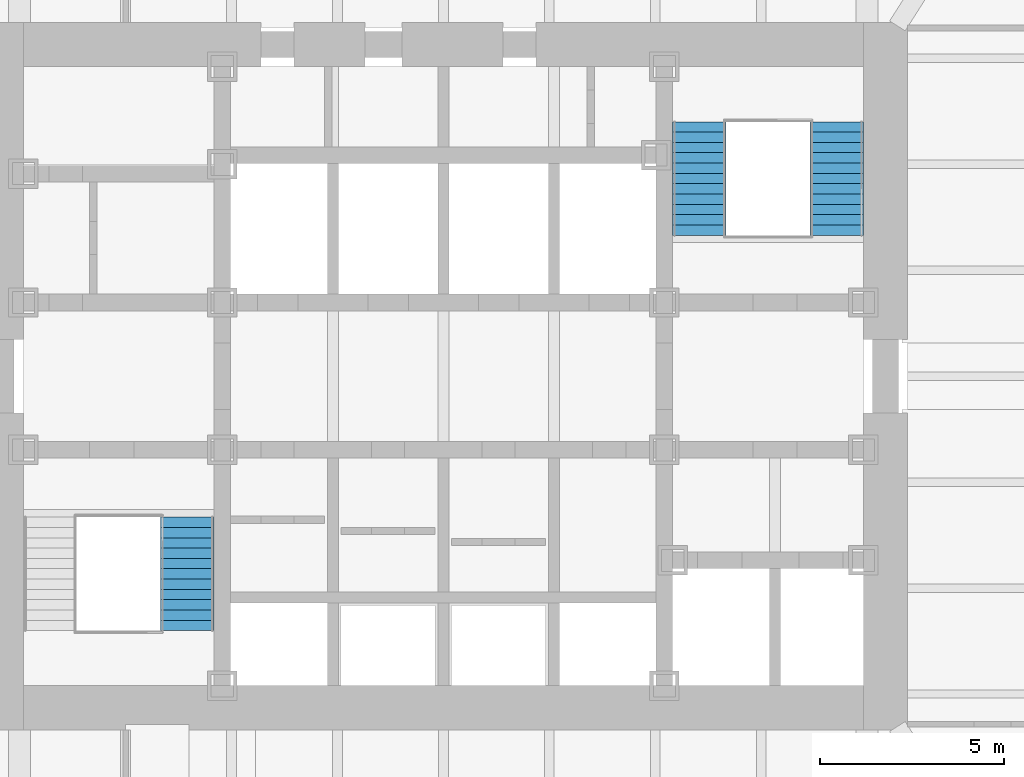
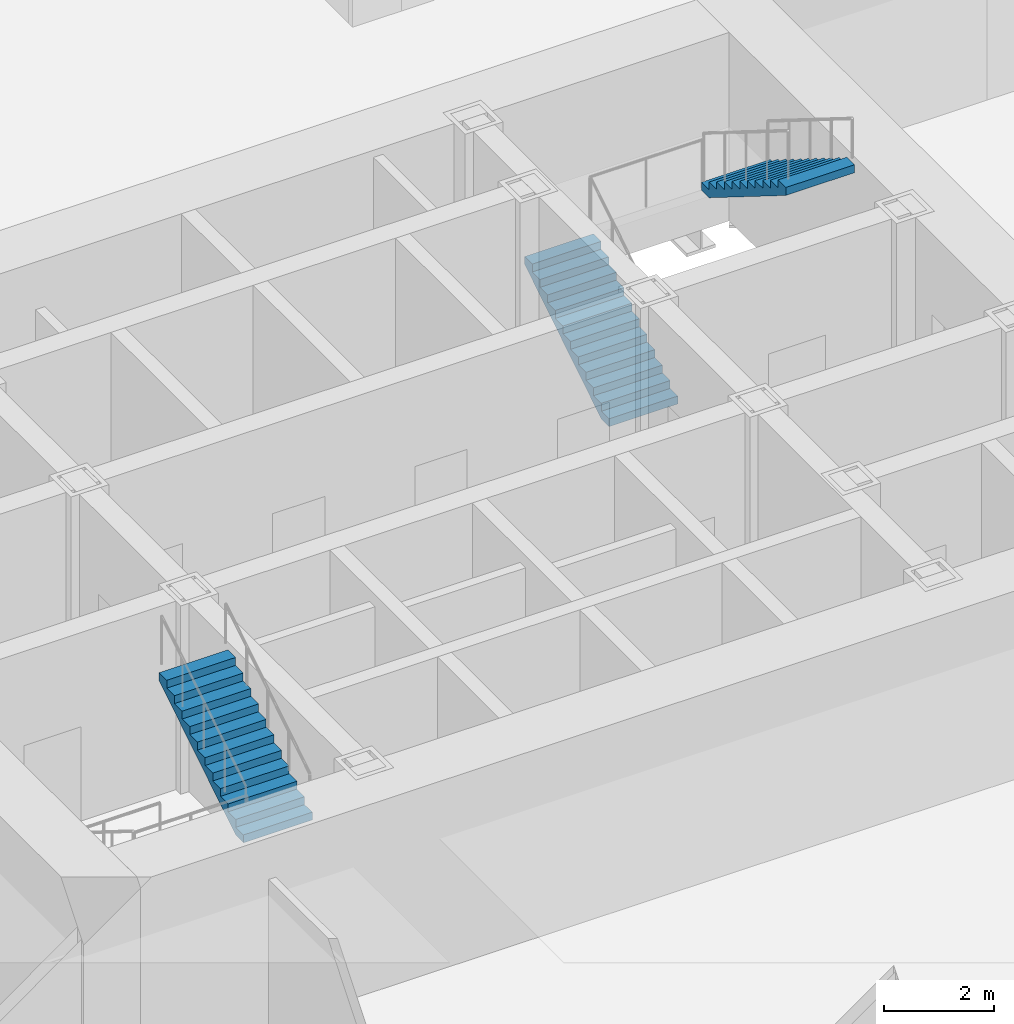
# One storey, part 11 of 17: 3 stair flights, 2 elements without a shape of their own.
"""IFC4 building model written with IfcOpenShell, lengths in metres."""

from ifc_helpers import new_model, si_unit, direction, frame, origin, place, context, subcontext, project, spatial, polyline, outline, extrude, material, type_object, element, aggregate, save


model = new_model("IFC4")

# Units and contexts
model_context = context("Model", 3, precision=1e-05, world=origin(), true_north=direction((0.0, 1.0)))
body_context = subcontext(model_context, "Body", "Model", "MODEL_VIEW")
ifc_project = project(units=[si_unit("LENGTHUNIT", "METRE"), si_unit("AREAUNIT", "SQUARE_METRE"), si_unit("VOLUMEUNIT", "CUBIC_METRE"), si_unit("PLANEANGLEUNIT", "RADIAN"), si_unit("MASSUNIT", "GRAM", prefix="KILO")], contexts=[model_context])

# Site, building, storey
site_placement = place(None, origin())
site = spatial("IfcSite", under=ifc_project, at=site_placement, CompositionType="ELEMENT")
building_placement = place(site_placement, origin())
building = spatial("IfcBuilding", under=site, at=building_placement, Name="Daluyong Arena Tower", CompositionType="ELEMENT")
storey_placement = place(building_placement, frame((0.0, 0.0, 154.300048828125)))
storey = spatial("IfcBuildingStorey", under=building, at=storey_placement, Name="L34", CompositionType="ELEMENT", Elevation=154.300048828125)

# Stair, stair flight
ifc_material_1 = material(Name="Concrete fc' 35 MPa", Category="concrete")
stair_type = type_object("IfcStairType", Name="Core exit stair", PredefinedType="HALF_TURN_STAIR", material=ifc_material_1)
stair_1_placement = place(storey_placement, origin())
stair_1 = element("IfcStair", 1, at=stair_1_placement, inside=storey, type_object=stair_type, Name="exit stair A L34", PredefinedType="HALF_TURN_STAIR")
ifc_material_2 = material(Name="Concrete fc' 35 MPa", Category="concrete")
stair_flight_type = type_object("IfcStairFlightType", Name="Core stair flight", PredefinedType="STRAIGHT", material=ifc_material_2)
stair_flight_1_placement = place(storey_placement, frame((49.050048828125, 73.094970703125, 2.099853515625), z_axis=(0.0, 0.0, 1.0), x_axis=(0.0, 1.0, 0.0)))
stair_flight_1 = element("IfcStairFlight", 2, at=stair_flight_1_placement, type_object=stair_flight_type, Name="STA flight 2", NumberOfRisers=12, NumberOfTreads=11, PredefinedType="STRAIGHT", RiserHeight=0.175, TreadLength=0.28, context=body_context, shape_type="SweptSolid", body=[
    extrude(outline(polyline([(0.0, 0.0), (0.0, 0.175048828125), (0.280029296875, 0.175048828125), (0.280029296875, 0.35009765625), (0.56005859375, 0.35009765625), (0.56005859375, 0.52490234375), (0.840087890625, 0.52490234375), (0.840087890625, 0.699951171875), (1.1201171875, 0.699951171875), (1.1201171875, 0.875), (1.39990234375, 0.875), (1.39990234375, 1.050048828125), (1.679931640625, 1.050048828125), (1.679931640625, 1.22509765625), (1.9599609375, 1.22509765625), (1.9599609375, 1.39990234375), (2.239990234375, 1.39990234375), (2.239990234375, 1.574951171875), (2.52001953125, 1.574951171875), (2.52001953125, 1.75), (2.800048828125, 1.75), (2.800048828125, 1.925048828125), (3.080078125, 1.925048828125), (3.080078125, 2.10009765625), (3.080078125, 1.748291015625), (0.28271484375, 0.0), (0.0, 0.0)])), frame((0.0, 0.72509765625, 0.0), z_axis=(0.0, -1.0, 0.0), x_axis=(1.0, 0.0, 0.0)), (0.0, 0.0, 1.0), 1.449951171875),
])
aggregate(stair_1, [stair_flight_1])

# Stair, stair flights
stair_2_placement = place(storey_placement, origin())
stair_2 = element("IfcStair", 3, at=stair_2_placement, inside=storey, type_object=stair_type, Name="exit stair B L34", PredefinedType="HALF_TURN_STAIR")
stair_flight_2_placement = place(storey_placement, frame((62.949951171875, 83.824951171875, 0.0), z_axis=(0.0, 0.0, 1.0), x_axis=(0.0, 1.0, 0.0)))
stair_flight_2 = element("IfcStairFlight", 4, at=stair_flight_2_placement, type_object=stair_flight_type, Name="STB flight 1", NumberOfRisers=12, NumberOfTreads=11, PredefinedType="STRAIGHT", RiserHeight=0.175, TreadLength=0.28, context=body_context, shape_type="SweptSolid", body=[
    extrude(outline(polyline([(0.0, 0.0), (0.0, 0.175048828125), (0.280029296875, 0.175048828125), (0.280029296875, 0.35009765625), (0.56005859375, 0.35009765625), (0.56005859375, 0.52490234375), (0.840087890625, 0.52490234375), (0.840087890625, 0.699951171875), (1.1201171875, 0.699951171875), (1.1201171875, 0.875), (1.39990234375, 0.875), (1.39990234375, 1.050048828125), (1.679931640625, 1.050048828125), (1.679931640625, 1.22509765625), (1.9599609375, 1.22509765625), (1.9599609375, 1.39990234375), (2.239990234375, 1.39990234375), (2.239990234375, 1.574951171875), (2.52001953125, 1.574951171875), (2.52001953125, 1.75), (2.800048828125, 1.75), (2.800048828125, 1.925048828125), (3.080078125, 1.925048828125), (3.080078125, 2.10009765625), (3.080078125, 1.748291015625), (0.28271484375, 0.0), (0.0, 0.0)])), frame((0.0, 0.72509765625, 0.0), z_axis=(0.0, -1.0, 0.0), x_axis=(1.0, 0.0, 0.0)), (0.0, 0.0, 1.0), 1.449951171875),
])
stair_flight_3_placement = place(storey_placement, frame((66.675048828125, 86.905029296875, 2.099853515625), z_axis=(0.0, 0.0, 1.0), x_axis=(0.0, -1.0, 0.0)))
stair_flight_3 = element("IfcStairFlight", 5, at=stair_flight_3_placement, type_object=stair_flight_type, Name="STB flight 2", NumberOfRisers=12, NumberOfTreads=11, PredefinedType="STRAIGHT", RiserHeight=0.175, TreadLength=0.28, context=body_context, shape_type="SweptSolid", body=[
    extrude(outline(polyline([(0.0, 0.0), (0.0, 0.175048828125), (0.280029296875, 0.175048828125), (0.280029296875, 0.35009765625), (0.56005859375, 0.35009765625), (0.56005859375, 0.52490234375), (0.840087890625, 0.52490234375), (0.840087890625, 0.699951171875), (1.1201171875, 0.699951171875), (1.1201171875, 0.875), (1.39990234375, 0.875), (1.39990234375, 1.050048828125), (1.679931640625, 1.050048828125), (1.679931640625, 1.22509765625), (1.9599609375, 1.22509765625), (1.9599609375, 1.39990234375), (2.239990234375, 1.39990234375), (2.239990234375, 1.574951171875), (2.52001953125, 1.574951171875), (2.52001953125, 1.75), (2.800048828125, 1.75), (2.800048828125, 1.925048828125), (3.080078125, 1.925048828125), (3.080078125, 2.10009765625), (3.080078125, 1.748291015625), (0.28271484375, 0.0), (0.0, 0.0)])), frame((0.0, 0.72509765625, 0.0), z_axis=(0.0, -1.0, 0.0), x_axis=(1.0, 0.0, 0.0)), (0.0, 0.0, 1.0), 1.449951171875),
])
aggregate(stair_2, [stair_flight_2, stair_flight_3])

save(model, "model.ifc")
